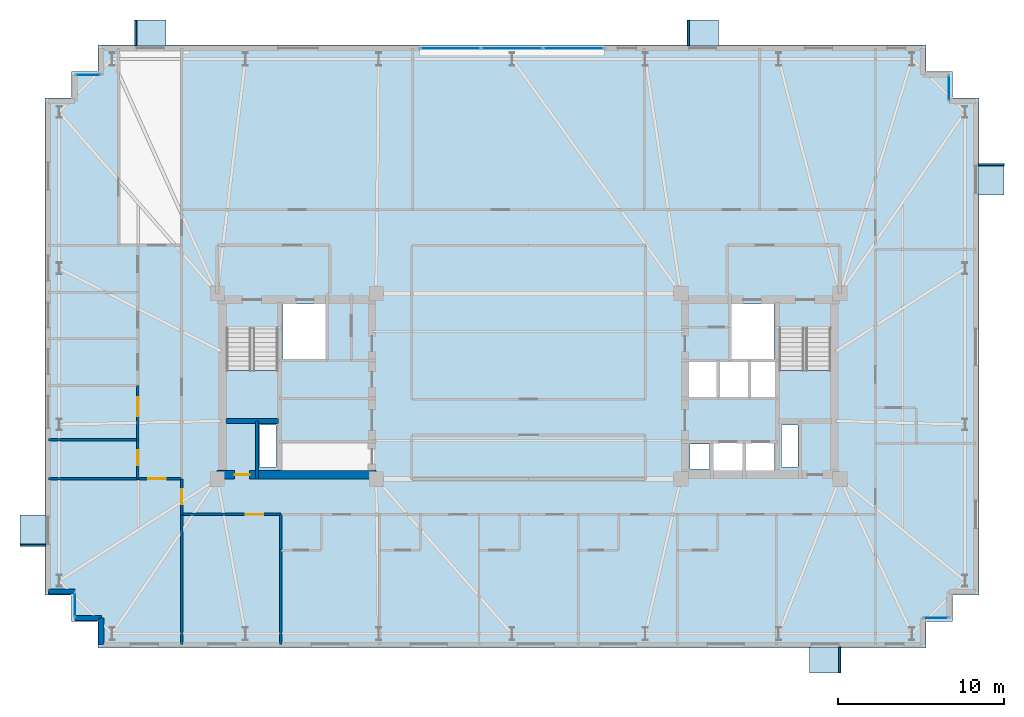
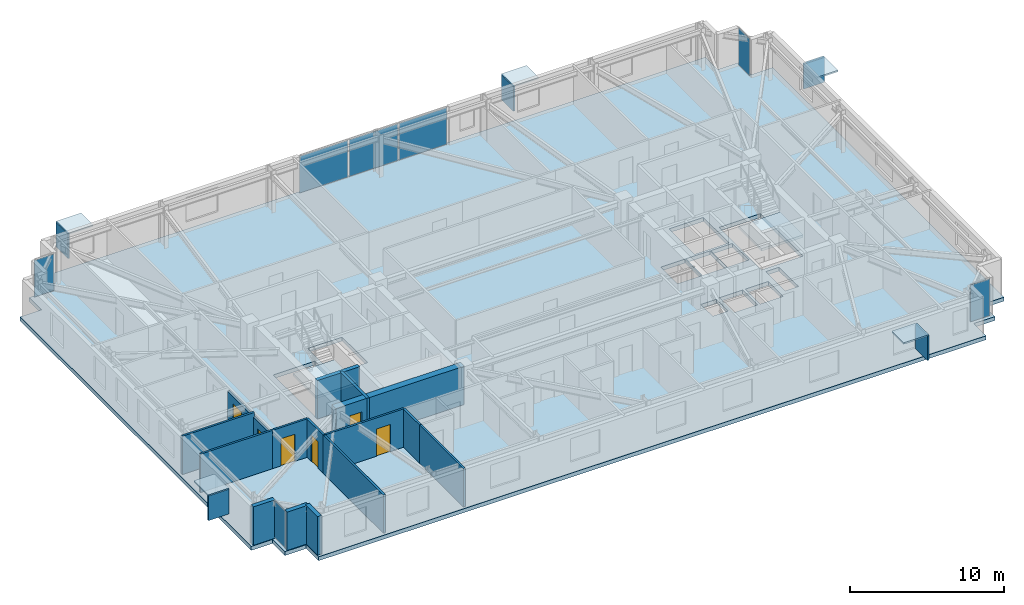
# One storey, part 11 of 18: 17 plates, 16 walls, 6 doors, 3 slabs, 6 openings, 7 elements without a shape of their own.
"""IFC4 building model written with IfcOpenShell, lengths in metres."""

from ifc_helpers import new_model, si_unit, direction, frame, frame_2d, origin, origin_2d, place, context, subcontext, project, spatial, polyline, rectangle, outline, extrude, material, layer, layer_set, type_object, element, fill, aggregate, save


model = new_model("IFC4")

# Units and contexts
model_context = context("Model", 3, precision=1e-05, world=origin(), true_north=direction((0.0, 1.0)))
body_context = subcontext(model_context, "Body", "Model", "MODEL_VIEW")
ifc_project = project(units=[si_unit("LENGTHUNIT", "METRE"), si_unit("AREAUNIT", "SQUARE_METRE"), si_unit("VOLUMEUNIT", "CUBIC_METRE"), si_unit("PLANEANGLEUNIT", "RADIAN"), si_unit("MASSUNIT", "GRAM", prefix="KILO")], contexts=[model_context])

# Site, building, storey
site_placement = place(None, origin())
site = spatial("IfcSite", under=ifc_project, at=site_placement, CompositionType="ELEMENT")
building_placement = place(site_placement, origin())
building = spatial("IfcBuilding", under=site, at=building_placement, Name="Qobustan Lattice House", CompositionType="ELEMENT")
storey_placement = place(building_placement, frame((0.0, 0.0, 151.10009765625)))
storey = spatial("IfcBuildingStorey", under=building, at=storey_placement, Name="L42", CompositionType="ELEMENT", Elevation=151.10009765625)

# Curtain wall, plate
ifc_material_1 = material(Name="Anodised aluminium and low-E glazing", Category="aluminium")
ifc_layer_1 = layer(ifc_material_1, 0.219970703125)
ifc_layer_set_1 = layer_set([ifc_layer_1], Name="Anodised aluminium and low-E glazing")
curtain_wall_type_1 = type_object("IfcCurtainWallType", Name="CW-FAC-02", PredefinedType="USERDEFINED", material=ifc_layer_set_1)
curtain_wall_1_placement = place(storey_placement, origin())
curtain_wall_1 = element("IfcCurtainWall", 1, at=curtain_wall_1_placement, inside=storey, type_object=curtain_wall_type_1, Name="L42 serrated corner faceted glazing 3", ObjectType="CURTAIN WALL", PredefinedType="USERDEFINED")
ifc_material_2 = material(Name="Clear low-E laminated glass", Category="glass")
ifc_layer_2 = layer(ifc_material_2, 0.031982421875)
ifc_layer_set_2 = layer_set([ifc_layer_2], Name="Clear low-E laminated glass")
plate_type_1 = type_object("IfcPlateType", Name="CWP-VISION-32", PredefinedType="CURTAIN_PANEL", material=ifc_layer_set_2)
plate_1_placement = place(storey_placement, frame((-27.39990234375, -13.199951171875, 0.06494140625), z_axis=(0.0, 0.0, 1.0), x_axis=(0.0, 1.0, 0.0)))
plate_1 = element("IfcPlate", 2, at=plate_1_placement, type_object=plate_type_1, Name="CW-F2 panel 1.1", PredefinedType="CURTAIN_PANEL", context=body_context, shape_type="SweptSolid", body=[
    extrude(rectangle(XDim=1.4599609375, YDim=0.031982421875, at=origin_2d()), origin(), (0.0, 0.0, 1.0), 2.909912109375),
])
aggregate(curtain_wall_1, [plate_1])

curtain_wall_2_placement = place(storey_placement, origin())
curtain_wall_2 = element("IfcCurtainWall", 3, at=curtain_wall_2_placement, inside=storey, type_object=curtain_wall_type_1, Name="L42 serrated corner faceted glazing 8", ObjectType="CURTAIN WALL", PredefinedType="USERDEFINED")
plate_2_placement = place(storey_placement, frame((-26.60009765625, 18.800048828125, 0.06494140625), z_axis=(0.0, 0.0, 1.0), x_axis=(1.0, 0.0, 0.0)))
plate_2 = element("IfcPlate", 4, at=plate_2_placement, type_object=plate_type_1, Name="CW-F2 panel 1.1", PredefinedType="CURTAIN_PANEL", context=body_context, shape_type="SweptSolid", body=[
    extrude(rectangle(XDim=1.4599609375, YDim=0.031982421875, at=origin_2d()), origin(), (0.0, 0.0, 1.0), 2.909912109375),
])
aggregate(curtain_wall_2, [plate_2])

# Curtain wall, plates
ifc_material_3 = material(Name="Anodised aluminium and low-E glazing", Category="aluminium")
ifc_layer_3 = layer(ifc_material_3, 0.219970703125)
ifc_layer_set_3 = layer_set([ifc_layer_3], Name="Anodised aluminium and low-E glazing")
curtain_wall_type_2 = type_object("IfcCurtainWallType", Name="CW-IWN-01", PredefinedType="USERDEFINED", material=ifc_layer_set_3)
curtain_wall_3_placement = place(storey_placement, origin())
curtain_wall_3 = element("IfcCurtainWall", 5, at=curtain_wall_3_placement, inside=storey, type_object=curtain_wall_type_2, Name="L42 IWAN-3 walnut-lined iwan curtain wall", ObjectType="CURTAIN WALL", PredefinedType="USERDEFINED")
plate_3_placement = place(storey_placement, frame((-4.71337890625, 20.39990234375, 0.06494140625), z_axis=(0.0, 0.0, 1.0), x_axis=(1.0, 0.0, 0.0)))
plate_3 = element("IfcPlate", 6, at=plate_3_placement, type_object=plate_type_1, Name="CW-IW panel 1.1", PredefinedType="CURTAIN_PANEL", context=body_context, shape_type="SweptSolid", body=[
    extrude(rectangle(XDim=3.61328125, YDim=0.031982421875, at=origin_2d()), origin(), (0.0, 0.0, 1.0), 2.909912109375),
])
plate_4_placement = place(storey_placement, frame((-1.0, 20.39990234375, 0.06494140625), z_axis=(0.0, 0.0, 1.0), x_axis=(1.0, 0.0, 0.0)))
plate_4 = element("IfcPlate", 7, at=plate_4_placement, type_object=plate_type_1, Name="CW-IW panel 2.1", PredefinedType="CURTAIN_PANEL", context=body_context, shape_type="SweptSolid", body=[
    extrude(rectangle(XDim=3.6533203125, YDim=0.031982421875, at=origin_2d()), origin(), (0.0, 0.0, 1.0), 2.909912109375),
])
plate_5_placement = place(storey_placement, frame((2.71337890625, 20.39990234375, 0.06494140625), z_axis=(0.0, 0.0, 1.0), x_axis=(1.0, 0.0, 0.0)))
plate_5 = element("IfcPlate", 8, at=plate_5_placement, type_object=plate_type_1, Name="CW-IW panel 3.1", PredefinedType="CURTAIN_PANEL", context=body_context, shape_type="SweptSolid", body=[
    extrude(rectangle(XDim=3.61328125, YDim=0.031982421875, at=origin_2d()), origin(), (0.0, 0.0, 1.0), 2.909912109375),
])
aggregate(curtain_wall_3, [plate_3, plate_4, plate_5])

# Curtain wall, plate
curtain_wall_4_placement = place(storey_placement, origin())
curtain_wall_4 = element("IfcCurtainWall", 9, at=curtain_wall_4_placement, inside=storey, type_object=curtain_wall_type_1, Name="L42 serrated corner faceted glazing 13", ObjectType="CURTAIN WALL", PredefinedType="USERDEFINED")
plate_6_placement = place(storey_placement, frame((25.39990234375, 18.0, 0.06494140625), z_axis=(0.0, 0.0, 1.0), x_axis=(0.0, -1.0, 0.0)))
plate_6 = element("IfcPlate", 10, at=plate_6_placement, type_object=plate_type_1, Name="CW-F2 panel 1.1", PredefinedType="CURTAIN_PANEL", context=body_context, shape_type="SweptSolid", body=[
    extrude(rectangle(XDim=1.4599609375, YDim=0.031982421875, at=origin_2d()), origin(), (0.0, 0.0, 1.0), 2.909912109375),
])
aggregate(curtain_wall_4, [plate_6])

curtain_wall_5_placement = place(storey_placement, origin())
curtain_wall_5 = element("IfcCurtainWall", 11, at=curtain_wall_5_placement, inside=storey, type_object=curtain_wall_type_1, Name="L42 serrated corner faceted glazing 18", ObjectType="CURTAIN WALL", PredefinedType="USERDEFINED")
plate_7_placement = place(storey_placement, frame((24.60009765625, -14.0, 0.06494140625), z_axis=(0.0, 0.0, 1.0), x_axis=(-1.0, 0.0, 0.0)))
plate_7 = element("IfcPlate", 12, at=plate_7_placement, type_object=plate_type_1, Name="CW-F2 panel 1.1", PredefinedType="CURTAIN_PANEL", context=body_context, shape_type="SweptSolid", body=[
    extrude(rectangle(XDim=1.4599609375, YDim=0.031982421875, at=origin_2d()), origin(), (0.0, 0.0, 1.0), 2.909912109375),
])
aggregate(curtain_wall_5, [plate_7])

# Plates
ifc_material_4 = material(Name="Qobustan limestone GFRC", Category="masonry")
ifc_layer_4 = layer(ifc_material_4, 0.1201171875)
ifc_layer_set_4 = layer_set([ifc_layer_4], Name="Qobustan limestone GFRC")
plate_type_2 = type_object("IfcPlateType", Name="SHD-HOOD-BROW", PredefinedType="USERDEFINED", material=ifc_layer_set_4)
plate_8_placement = place(storey_placement, frame((-29.929931640625, -8.719970703125, 2.699951171875), z_axis=(0.0, 0.0, 1.0), x_axis=(0.0, 1.0, 0.0)))
element("IfcPlate", 13, at=plate_8_placement, inside=storey, type_object=plate_type_2, Name="L42 splayed Qobustan stone hood brow", ObjectType="SUNSHADE", PredefinedType="USERDEFINED", context=body_context, shape_type="SweptSolid", body=[
    extrude(rectangle(XDim=1.889892578125, YDim=1.56005859375, at=origin_2d()), origin(), (0.0, 0.0, 1.0), 0.1201171875),
])
plate_9_placement = place(storey_placement, frame((-29.929931640625, -9.60498046875, 0.7900390625), z_axis=(0.0, 0.0, 1.0), x_axis=(0.0, 1.0, 0.0)))
element("IfcPlate", 14, at=plate_9_placement, inside=storey, type_object=plate_type_2, Name="L42 splayed Qobustan stone hood cheek", ObjectType="SUNSHADE", PredefinedType="USERDEFINED", context=body_context, shape_type="SweptSolid", body=[
    extrude(rectangle(XDim=0.1201171875, YDim=1.56005859375, at=origin_2d()), origin(), (0.0, 0.0, 1.0), 1.969970703125),
])
plate_10_placement = place(storey_placement, frame((-22.840087890625, 21.330078125, 2.699951171875), z_axis=(0.0, 0.0, 1.0), x_axis=(1.0, 0.0, 0.0)))
element("IfcPlate", 15, at=plate_10_placement, inside=storey, type_object=plate_type_2, Name="L42 splayed Qobustan stone hood brow", ObjectType="SUNSHADE", PredefinedType="USERDEFINED", context=body_context, shape_type="SweptSolid", body=[
    extrude(rectangle(XDim=1.889892578125, YDim=1.56005859375, at=origin_2d()), origin(), (0.0, 0.0, 1.0), 0.1201171875),
])
plate_11_placement = place(storey_placement, frame((-23.72509765625, 21.330078125, 0.7900390625), z_axis=(0.0, 0.0, 1.0), x_axis=(1.0, 0.0, 0.0)))
element("IfcPlate", 16, at=plate_11_placement, inside=storey, type_object=plate_type_2, Name="L42 splayed Qobustan stone hood cheek", ObjectType="SUNSHADE", PredefinedType="USERDEFINED", context=body_context, shape_type="SweptSolid", body=[
    extrude(rectangle(XDim=0.1201171875, YDim=1.56005859375, at=origin_2d()), origin(), (0.0, 0.0, 1.0), 1.969970703125),
])
plate_12_placement = place(storey_placement, frame((10.52001953125, 21.330078125, 2.699951171875), z_axis=(0.0, 0.0, 1.0), x_axis=(1.0, 0.0, 0.0)))
element("IfcPlate", 17, at=plate_12_placement, inside=storey, type_object=plate_type_2, Name="L42 splayed Qobustan stone hood brow", ObjectType="SUNSHADE", PredefinedType="USERDEFINED", context=body_context, shape_type="SweptSolid", body=[
    extrude(rectangle(XDim=1.889892578125, YDim=1.56005859375, at=origin_2d()), origin(), (0.0, 0.0, 1.0), 0.1201171875),
])
plate_13_placement = place(storey_placement, frame((9.635009765625, 21.330078125, 0.7900390625), z_axis=(0.0, 0.0, 1.0), x_axis=(1.0, 0.0, 0.0)))
element("IfcPlate", 18, at=plate_13_placement, inside=storey, type_object=plate_type_2, Name="L42 splayed Qobustan stone hood cheek", ObjectType="SUNSHADE", PredefinedType="USERDEFINED", context=body_context, shape_type="SweptSolid", body=[
    extrude(rectangle(XDim=0.1201171875, YDim=1.56005859375, at=origin_2d()), origin(), (0.0, 0.0, 1.0), 1.969970703125),
])
plate_14_placement = place(storey_placement, frame((27.929931640625, 12.47998046875, 2.699951171875), z_axis=(0.0, 0.0, 1.0), x_axis=(0.0, -1.0, 0.0)))
element("IfcPlate", 19, at=plate_14_placement, inside=storey, type_object=plate_type_2, Name="L42 splayed Qobustan stone hood brow", ObjectType="SUNSHADE", PredefinedType="USERDEFINED", context=body_context, shape_type="SweptSolid", body=[
    extrude(rectangle(XDim=1.889892578125, YDim=1.56005859375, at=origin_2d()), origin(), (0.0, 0.0, 1.0), 0.1201171875),
])
plate_15_placement = place(storey_placement, frame((27.929931640625, 13.364990234375, 0.7900390625), z_axis=(0.0, 0.0, 1.0), x_axis=(0.0, -1.0, 0.0)))
element("IfcPlate", 20, at=plate_15_placement, inside=storey, type_object=plate_type_2, Name="L42 splayed Qobustan stone hood cheek", ObjectType="SUNSHADE", PredefinedType="USERDEFINED", context=body_context, shape_type="SweptSolid", body=[
    extrude(rectangle(XDim=0.1201171875, YDim=1.56005859375, at=origin_2d()), origin(), (0.0, 0.0, 1.0), 1.969970703125),
])
plate_16_placement = place(storey_placement, frame((17.919921875, -16.530029296875, 2.699951171875), z_axis=(0.0, 0.0, 1.0), x_axis=(-1.0, 0.0, 0.0)))
element("IfcPlate", 21, at=plate_16_placement, inside=storey, type_object=plate_type_2, Name="L42 splayed Qobustan stone hood brow", ObjectType="SUNSHADE", PredefinedType="USERDEFINED", context=body_context, shape_type="SweptSolid", body=[
    extrude(rectangle(XDim=1.889892578125, YDim=1.56005859375, at=origin_2d()), origin(), (0.0, 0.0, 1.0), 0.1201171875),
])
plate_17_placement = place(storey_placement, frame((18.804931640625, -16.530029296875, 0.7900390625), z_axis=(0.0, 0.0, 1.0), x_axis=(-1.0, 0.0, 0.0)))
element("IfcPlate", 22, at=plate_17_placement, inside=storey, type_object=plate_type_2, Name="L42 splayed Qobustan stone hood cheek", ObjectType="SUNSHADE", PredefinedType="USERDEFINED", context=body_context, shape_type="SweptSolid", body=[
    extrude(rectangle(XDim=0.1201171875, YDim=1.56005859375, at=origin_2d()), origin(), (0.0, 0.0, 1.0), 1.969970703125),
])

# Slab
ifc_material_5 = material(Name="Concrete C40/50", Category="concrete")
ifc_layer_5 = layer(ifc_material_5, 0.31005859375)
ifc_layer_set_5 = layer_set([ifc_layer_5], Name="Concrete C40/50")
slab_type_1 = type_object("IfcSlabType", Name="SLB-FLR-310", PredefinedType="FLOOR", material=ifc_layer_set_5)
slab_1_placement = place(storey_placement, frame((0.0, 0.0, -0.31005859375)))
element("IfcSlab", 23, at=slab_1_placement, inside=storey, type_object=slab_type_1, Name="L42 structural floor slab", PredefinedType="FLOOR", context=body_context, shape_type="SweptSolid", body=[
    extrude(outline(polyline([(-26.0, -15.800048828125), (24.0, -15.800048828125), (24.0, -14.199951171875), (25.60009765625, -14.199951171875), (25.60009765625, -12.60009765625), (27.199951171875, -12.60009765625), (27.199951171875, 17.39990234375), (25.60009765625, 17.39990234375), (25.60009765625, 19.0), (24.0, 19.0), (24.0, 20.60009765625), (-26.0, 20.60009765625), (-26.0, 19.0), (-27.60009765625, 19.0), (-27.60009765625, 17.39990234375), (-29.199951171875, 17.39990234375), (-29.199951171875, -12.60009765625), (-27.60009765625, -12.60009765625), (-27.60009765625, -14.199951171875), (-26.0, -14.199951171875), (-26.0, -15.800048828125)]), holes=[polyline([(-18.25, -2.050048828125), (-18.25, 3.489990234375), (-15.1298828125, 3.489990234375), (-15.1298828125, -2.050048828125), (-18.25, -2.050048828125)]), polyline([(15.1298828125, -2.050048828125), (15.1298828125, 3.489990234375), (18.25, 3.489990234375), (18.25, -2.050048828125), (15.1298828125, -2.050048828125)]), polyline([(-14.820068359375, 1.64990234375), (-14.820068359375, 4.9599609375), (-12.25, 4.9599609375), (-12.25, 1.64990234375), (-14.820068359375, 1.64990234375)]), polyline([(12.25, 1.64990234375), (12.25, 4.9599609375), (14.820068359375, 4.9599609375), (14.820068359375, 1.64990234375), (12.25, 1.64990234375)]), polyline([(-16.260009765625, -4.8798828125), (-16.260009765625, -2.360107421875), (-15.260009765625, -2.360107421875), (-15.260009765625, -4.8798828125), (-16.260009765625, -4.8798828125)]), polyline([(15.260009765625, -4.8798828125), (15.260009765625, -2.360107421875), (16.260009765625, -2.360107421875), (16.260009765625, -4.8798828125), (15.260009765625, -4.8798828125)]), polyline([(11.179931640625, -5.35009765625), (11.179931640625, -3.419921875), (12.919921875, -3.419921875), (12.919921875, -5.35009765625), (11.179931640625, -5.35009765625)]), polyline([(13.1201171875, -5.35009765625), (13.1201171875, -3.419921875), (14.85009765625, -3.419921875), (14.85009765625, -5.35009765625), (13.1201171875, -5.35009765625)]), polyline([(9.760009765625, -5.0), (9.760009765625, -3.47998046875), (10.93994140625, -3.47998046875), (10.93994140625, -5.0), (9.760009765625, -5.0)]), polyline([(13.360107421875, -0.679931640625), (13.360107421875, 1.47998046875), (14.97998046875, 1.47998046875), (14.97998046875, -0.679931640625), (13.360107421875, -0.679931640625)]), polyline([(9.6201171875, -0.679931640625), (9.6201171875, 1.47998046875), (11.43994140625, 1.47998046875), (11.43994140625, -0.679931640625), (9.6201171875, -0.679931640625)]), polyline([(11.5, -0.679931640625), (11.5, 1.47998046875), (13.320068359375, 1.47998046875), (13.320068359375, -0.679931640625), (11.5, -0.679931640625)])]), origin(), (0.0, 0.0, 1.0), 0.31005859375),
])

# Stair, slab
ifc_material_6 = material(Name="Concrete C40/50", Category="concrete")
stair_type = type_object("IfcStairType", Name="STR-CORE-DOGLEG", PredefinedType="HALF_TURN_STAIR", material=ifc_material_6)
stair_1_placement = place(storey_placement, origin())
stair_1 = element("IfcStair", 24, at=stair_1_placement, inside=storey, type_object=stair_type, Name="L42 West protected exit stair ST-W1", PredefinedType="HALF_TURN_STAIR")
ifc_material_7 = material(Name="Concrete C40/50", Category="concrete")
ifc_layer_6 = layer(ifc_material_7, 0.199951171875)
ifc_layer_set_6 = layer_set([ifc_layer_6], Name="Concrete C40/50")
slab_type_2 = type_object("IfcSlabType", Name="SLB-LANDING-200", PredefinedType="LANDING", material=ifc_layer_set_6)
slab_2_placement = place(storey_placement, frame((0.0, 0.0, 1.474853515625)))
slab_2 = element("IfcSlab", 25, at=slab_2_placement, type_object=slab_type_2, Name="ST-W1 landing 1", PredefinedType="LANDING", context=body_context, shape_type="SweptSolid", body=[
    extrude(outline(polyline([(-18.25, 0.93505859375), (-18.25, -2.050048828125), (-15.1298828125, -2.050048828125), (-15.1298828125, 0.93505859375), (-18.25, 0.93505859375)])), origin(), (0.0, 0.0, 1.0), 0.199951171875),
])
aggregate(stair_1, [slab_2])

stair_2_placement = place(storey_placement, origin())
stair_2 = element("IfcStair", 26, at=stair_2_placement, inside=storey, type_object=stair_type, Name="L42 East protected exit stair ST-E1", PredefinedType="HALF_TURN_STAIR")
slab_3_placement = place(storey_placement, frame((0.0, 0.0, 1.474853515625)))
slab_3 = element("IfcSlab", 27, at=slab_3_placement, type_object=slab_type_2, Name="ST-E1 landing 1", PredefinedType="LANDING", context=body_context, shape_type="SweptSolid", body=[
    extrude(outline(polyline([(15.1298828125, 0.93505859375), (15.1298828125, -2.050048828125), (18.25, -2.050048828125), (18.25, 0.93505859375), (15.1298828125, 0.93505859375)])), origin(), (0.0, 0.0, 1.0), 0.199951171875),
])
aggregate(stair_2, [slab_3])

# Wall, opening, door
ifc_material_8 = material(Name="Concrete C50/60", Category="concrete")
ifc_layer_7 = layer(ifc_material_8, 0.5)
ifc_layer_set_7 = layer_set([ifc_layer_7], Name="Concrete C50/60")
wall_type_1 = type_object("IfcWallType", Name="WAL-CORE-500", PredefinedType="SHEAR", material=ifc_layer_set_7)
wall_1_placement = place(storey_placement, frame((-18.800048828125, -5.35009765625, 0.0), z_axis=(0.0, 0.0, 1.0), x_axis=(1.0, 0.0, 0.0)))
wall_1 = element("IfcWall", 28, at=wall_1_placement, inside=storey, type_object=wall_type_1, Name="L42 split-core shear wall CW-S", PredefinedType="SHEAR", context=body_context, shape_type="SweptSolid", body=[
    extrude(rectangle(XDim=9.60009765625, YDim=0.5, at=frame_2d((4.800048828125, 0.0))), origin(), (0.0, 0.0, 1.0), 3.039794921875),
])
opening_1_placement = place(wall_1_placement, frame((1.050048828125, 0.0, 0.0)))
opening_1 = element("IfcOpeningElement", 29, at=opening_1_placement, cuts=wall_1, Name="Opening RD-01", PredefinedType="OPENING", context=body_context, shape_type="SweptSolid", body=[
    extrude(rectangle(XDim=0.89990234375, YDim=2.10009765625, at=frame_2d((0.449951171875, 1.050048828125))), frame((0.0, 0.260009765625, 0.0), z_axis=(0.0, -1.0, 0.0), x_axis=(1.0, 0.0, 0.0)), (0.0, 0.0, 1.0), 0.52001953125),
])
ifc_material_9 = material(Name="Persian walnut timber and steel frame door", Category="steel")
door_type_1 = type_object("IfcDoorType", Name="DOR-RISER-FD-900x2100", OperationType="NOTDEFINED", PredefinedType="DOOR", material=ifc_material_9)
door_1_placement = place(opening_1_placement, origin())
door_1 = element("IfcDoor", 30, at=door_1_placement, inside=storey, type_object=door_type_1, Name="L42 core service riser access door W", OperationType="SINGLE_SWING_LEFT", OverallHeight=2.10009765625, OverallWidth=0.89990234375, PredefinedType="DOOR", context=body_context, shape_type="SweptSolid", body=[
    extrude(rectangle(XDim=0.89990234375, YDim=2.10009765625, at=frame_2d((0.449951171875, 1.050048828125))), frame((0.0, 0.02490234375, 0.0), z_axis=(0.0, -1.0, 0.0), x_axis=(1.0, 0.0, 0.0)), (0.0, 0.0, 1.0), 0.050048828125),
])
fill(opening_1, door_1)

# Walls
ifc_material_10 = material(Name="Concrete C50/60", Category="concrete")
ifc_layer_8 = layer(ifc_material_10, 0.280029296875)
ifc_layer_set_8 = layer_set([ifc_layer_8], Name="Concrete C50/60")
wall_type_2 = type_object("IfcWallType", Name="WAL-CORE-SPINE-280", PredefinedType="SHEAR", material=ifc_layer_set_8)
wall_2_placement = place(storey_placement, frame((-18.280029296875, -2.110107421875, 0.0), z_axis=(0.0, 0.0, 1.0), x_axis=(1.0, 0.0, 0.0)))
element("IfcWall", 31, at=wall_2_placement, inside=storey, type_object=wall_type_2, Name="L42 split-core shear wall CW-ST", PredefinedType="SHEAR", context=body_context, shape_type="SweptSolid", body=[
    extrude(rectangle(XDim=3.179931640625, YDim=0.300048828125, at=frame_2d((1.58984375, 0.0))), origin(), (0.0, 0.0, 1.0), 3.039794921875),
])
ifc_material_11 = material(Name="Precast concrete C40/50", Category="concrete")
ifc_layer_9 = layer(ifc_material_11, 0.320068359375)
ifc_layer_set_9 = layer_set([ifc_layer_9], Name="Precast concrete C40/50")
wall_type_3 = type_object("IfcWallType", Name="WAL-EXT-STONE-320", PredefinedType="SOLIDWALL", material=ifc_layer_set_9)
wall_3_placement = place(storey_placement, frame((-25.800048828125, -15.60009765625, 0.0), z_axis=(0.0, 0.0, 1.0), x_axis=(0.0, 1.0, 0.0)))
element("IfcWall", 32, at=wall_3_placement, inside=storey, type_object=wall_type_3, Name="L42 exterior limestone-clad wall 1", PredefinedType="SOLIDWALL", context=body_context, shape_type="SweptSolid", body=[
    extrude(rectangle(XDim=1.60009765625, YDim=0.320068359375, at=frame_2d((0.800048828125, 0.0))), origin(), (0.0, 0.0, 1.0), 3.039794921875),
])
wall_4_placement = place(storey_placement, frame((-25.800048828125, -14.0, 0.0), z_axis=(0.0, 0.0, 1.0), x_axis=(-1.0, 0.0, 0.0)))
element("IfcWall", 33, at=wall_4_placement, inside=storey, type_object=wall_type_3, Name="L42 exterior limestone-clad wall 2", PredefinedType="SOLIDWALL", context=body_context, shape_type="SweptSolid", body=[
    extrude(rectangle(XDim=1.599853515625, YDim=0.320068359375, at=frame_2d((0.7998046875, 0.0))), origin(), (0.0, 0.0, 1.0), 3.039794921875),
])
wall_5_placement = place(storey_placement, frame((-27.39990234375, -12.39990234375, 0.0), z_axis=(0.0, 0.0, 1.0), x_axis=(-1.0, 0.0, 0.0)))
element("IfcWall", 34, at=wall_5_placement, inside=storey, type_object=wall_type_3, Name="L42 exterior limestone-clad wall 4", PredefinedType="SOLIDWALL", context=body_context, shape_type="SweptSolid", body=[
    extrude(rectangle(XDim=1.60009765625, YDim=0.320068359375, at=frame_2d((0.800048828125, 0.0))), origin(), (0.0, 0.0, 1.0), 3.039794921875),
])

# Wall, opening, door
ifc_material_12 = material(Name="Acoustic twin-stud gypsum partition", Category="gypsum")
ifc_layer_10 = layer(ifc_material_12, 0.14990234375)
ifc_layer_set_10 = layer_set([ifc_layer_10], Name="Acoustic twin-stud gypsum partition")
wall_type_4 = type_object("IfcWallType", Name="WAL-PART-150", PredefinedType="PARTITIONING", material=ifc_layer_set_10)
wall_6_placement = place(storey_placement, frame((-20.949951171875, -7.75, 0.0), z_axis=(0.0, 0.0, 1.0), x_axis=(0.0, 1.0, 0.0)))
wall_6 = element("IfcWall", 35, at=wall_6_placement, inside=storey, type_object=wall_type_4, Name="L42 interior partition 43", PredefinedType="PARTITIONING", context=body_context, shape_type="SweptSolid", body=[
    extrude(rectangle(XDim=2.14990234375, YDim=0.14990234375, at=frame_2d((1.074951171875, 0.0))), origin(), (0.0, 0.0, 1.0), 3.039794921875),
])
opening_2_placement = place(wall_6_placement, frame((0.625, 0.0, 0.0)))
opening_2 = element("IfcOpeningElement", 36, at=opening_2_placement, cuts=wall_6, Name="Opening WD-01", PredefinedType="OPENING", context=body_context, shape_type="SweptSolid", body=[
    extrude(rectangle(XDim=0.89990234375, YDim=2.10009765625, at=frame_2d((0.449951171875, 1.050048828125))), frame((0.0, 0.0849609375, 0.0), z_axis=(0.0, -1.0, 0.0), x_axis=(1.0, 0.0, 0.0)), (0.0, 0.0, 1.0), 0.169921875),
])
ifc_material_13 = material(Name="Persian walnut timber and steel frame door", Category="steel")
door_type_2 = type_object("IfcDoorType", Name="DOR-WET-900x2100", OperationType="NOTDEFINED", PredefinedType="DOOR", material=ifc_material_13)
door_2_placement = place(opening_2_placement, origin())
door_2 = element("IfcDoor", 37, at=door_2_placement, inside=storey, type_object=door_type_2, Name="L42 South-west floor corridor to Reading study room L42WS door", OperationType="SINGLE_SWING_LEFT", OverallHeight=2.10009765625, OverallWidth=0.89990234375, PredefinedType="DOOR", context=body_context, shape_type="SweptSolid", body=[
    extrude(rectangle(XDim=0.89990234375, YDim=2.10009765625, at=frame_2d((0.449951171875, 1.050048828125))), frame((0.0, 0.02490234375, 0.0), z_axis=(0.0, -1.0, 0.0), x_axis=(1.0, 0.0, 0.0)), (0.0, 0.0, 1.0), 0.050048828125),
])
fill(opening_2, door_2)

wall_7_placement = place(storey_placement, frame((-14.964111328125, -7.75, 0.0), z_axis=(0.0, 0.0, 1.0), x_axis=(-1.0, 0.0, 0.0)))
wall_7 = element("IfcWall", 38, at=wall_7_placement, inside=storey, type_object=wall_type_4, Name="L42 interior partition 44", PredefinedType="PARTITIONING", context=body_context, shape_type="SweptSolid", body=[
    extrude(rectangle(XDim=5.98583984375, YDim=0.14990234375, at=frame_2d((2.992919921875, 0.0))), origin(), (0.0, 0.0, 1.0), 3.039794921875),
])
opening_3_placement = place(wall_7_placement, frame((1.052001953125, 0.0, 0.0)))
opening_3 = element("IfcOpeningElement", 39, at=opening_3_placement, cuts=wall_7, Name="Opening ID-02", PredefinedType="OPENING", context=body_context, shape_type="SweptSolid", body=[
    extrude(rectangle(XDim=1.050048828125, YDim=2.14990234375, at=frame_2d((0.52490234375, 1.074951171875))), frame((0.0, 0.0849609375, 0.0), z_axis=(0.0, -1.0, 0.0), x_axis=(1.0, 0.0, 0.0)), (0.0, 0.0, 1.0), 0.169921875),
])
ifc_material_14 = material(Name="Persian walnut timber and steel frame door", Category="steel")
door_type_3 = type_object("IfcDoorType", Name="DOR-STUDY-1050x2150", OperationType="NOTDEFINED", PredefinedType="DOOR", material=ifc_material_14)
door_3_placement = place(opening_3_placement, origin())
door_3 = element("IfcDoor", 40, at=door_3_placement, inside=storey, type_object=door_type_3, Name="L42 South-west floor corridor to Focus study room S1 door", OperationType="SINGLE_SWING_RIGHT", OverallHeight=2.14990234375, OverallWidth=1.050048828125, PredefinedType="DOOR", context=body_context, shape_type="SweptSolid", body=[
    extrude(rectangle(XDim=1.050048828125, YDim=2.14990234375, at=frame_2d((0.52490234375, 1.074951171875))), frame((0.0, 0.02490234375, 0.0), z_axis=(0.0, -1.0, 0.0), x_axis=(1.0, 0.0, 0.0)), (0.0, 0.0, 1.0), 0.050048828125),
])
fill(opening_3, door_3)

wall_8_placement = place(storey_placement, frame((-20.949951171875, -5.60009765625, 0.0), z_axis=(0.0, 0.0, 1.0), x_axis=(-1.0, 0.0, 0.0)))
wall_8 = element("IfcWall", 41, at=wall_8_placement, inside=storey, type_object=wall_type_4, Name="L42 interior partition 71", PredefinedType="PARTITIONING", context=body_context, shape_type="SweptSolid", body=[
    extrude(rectangle(XDim=2.650146484375, YDim=0.14990234375, at=frame_2d((1.3251953125, 0.0))), origin(), (0.0, 0.0, 1.0), 3.039794921875),
])
opening_4_placement = place(wall_8_placement, frame((0.965087890625, 0.0, 0.0)))
opening_4 = element("IfcOpeningElement", 42, at=opening_4_placement, cuts=wall_8, Name="Opening ID-02", PredefinedType="OPENING", context=body_context, shape_type="SweptSolid", body=[
    extrude(rectangle(XDim=1.050048828125, YDim=2.14990234375, at=frame_2d((0.52490234375, 1.074951171875))), frame((0.0, 0.0849609375, 0.0), z_axis=(0.0, -1.0, 0.0), x_axis=(1.0, 0.0, 0.0)), (0.0, 0.0, 1.0), 0.169921875),
])
door_4_placement = place(opening_4_placement, origin())
door_4 = element("IfcDoor", 43, at=door_4_placement, inside=storey, type_object=door_type_3, Name="L42 Residence entrance hall L42W to Reading study room L42WS door", OperationType="SINGLE_SWING_LEFT", OverallHeight=2.14990234375, OverallWidth=1.050048828125, PredefinedType="DOOR", context=body_context, shape_type="SweptSolid", body=[
    extrude(rectangle(XDim=1.050048828125, YDim=2.14990234375, at=frame_2d((0.52490234375, 1.074951171875))), frame((0.0, 0.02490234375, 0.0), z_axis=(0.0, -1.0, 0.0), x_axis=(1.0, 0.0, 0.0)), (0.0, 0.0, 1.0), 0.050048828125),
])
fill(opening_4, door_4)

# Walls
wall_9_placement = place(storey_placement, frame((-20.949951171875, -7.75, 0.0), z_axis=(0.0, 0.0, 1.0), x_axis=(0.0, -1.0, 0.0)))
element("IfcWall", 44, at=wall_9_placement, inside=storey, type_object=wall_type_4, Name="L42 interior partition 82", PredefinedType="PARTITIONING", context=body_context, shape_type="SweptSolid", body=[
    extrude(rectangle(XDim=7.85009765625, YDim=0.14990234375, at=frame_2d((3.925048828125, 0.0))), origin(), (0.0, 0.0, 1.0), 3.039794921875),
])
wall_10_placement = place(storey_placement, frame((-14.964111328125, -9.89990234375, 0.0), z_axis=(0.0, 0.0, 1.0), x_axis=(0.0, -1.0, 0.0)))
element("IfcWall", 45, at=wall_10_placement, inside=storey, type_object=wall_type_4, Name="L42 interior partition 97", PredefinedType="PARTITIONING", context=body_context, shape_type="SweptSolid", body=[
    extrude(rectangle(XDim=5.7001953125, YDim=0.14990234375, at=frame_2d((2.85009765625, 0.0))), origin(), (0.0, 0.0, 1.0), 3.039794921875),
])

# Wall, opening, door
ifc_material_15 = material(Name="High-mass acoustic twin-stud partition", Category="gypsum")
ifc_layer_11 = layer(ifc_material_15, 0.1650390625)
ifc_layer_set_11 = layer_set([ifc_layer_11], Name="High-mass acoustic twin-stud partition")
wall_type_5 = type_object("IfcWallType", Name="WAL-PART-165", PredefinedType="PARTITIONING", material=ifc_layer_set_11)
wall_11_placement = place(storey_placement, frame((-23.60009765625, -3.25, 0.0), z_axis=(0.0, 0.0, 1.0), x_axis=(0.0, 1.0, 0.0)))
wall_11 = element("IfcWall", 46, at=wall_11_placement, inside=storey, type_object=wall_type_5, Name="L42 interior partition 73", PredefinedType="PARTITIONING", context=body_context, shape_type="SweptSolid", body=[
    extrude(rectangle(XDim=3.2900390625, YDim=0.1650390625, at=frame_2d((1.64501953125, 0.0))), origin(), (0.0, 0.0, 1.0), 2.69482421875),
])
opening_5_placement = place(wall_11_placement, frame((1.4375, 0.0, 0.0)))
opening_5 = element("IfcOpeningElement", 47, at=opening_5_placement, cuts=wall_11, Name="Opening ID-03", PredefinedType="OPENING", context=body_context, shape_type="SweptSolid", body=[
    extrude(rectangle(XDim=1.14990234375, YDim=2.14990234375, at=frame_2d((0.574951171875, 1.074951171875))), frame((0.0, 0.092529296875, 0.0), z_axis=(0.0, -1.0, 0.0), x_axis=(1.0, 0.0, 0.0)), (0.0, 0.0, 1.0), 0.18505859375),
])
ifc_material_16 = material(Name="Persian walnut timber and steel frame door", Category="steel")
door_type_4 = type_object("IfcDoorType", Name="DOR-KITCH-1150x2150", OperationType="NOTDEFINED", PredefinedType="DOOR", material=ifc_material_16)
door_5_placement = place(opening_5_placement, origin())
door_5 = element("IfcDoor", 48, at=door_5_placement, inside=storey, type_object=door_type_4, Name="L42 Residence entrance hall L42W to Shared kitchen L42W door", OperationType="SINGLE_SWING_LEFT", OverallHeight=2.14990234375, OverallWidth=1.14990234375, PredefinedType="DOOR", context=body_context, shape_type="SweptSolid", body=[
    extrude(rectangle(XDim=1.14990234375, YDim=2.14990234375, at=frame_2d((0.574951171875, 1.074951171875))), frame((0.0, 0.02490234375, 0.0), z_axis=(0.0, -1.0, 0.0), x_axis=(1.0, 0.0, 0.0)), (0.0, 0.0, 1.0), 0.050048828125),
])
fill(opening_5, door_5)

# Wall
ifc_material_17 = material(Name="Concrete C40/50", Category="concrete")
ifc_layer_12 = layer(ifc_material_17, 0.199951171875)
ifc_layer_set_12 = layer_set([ifc_layer_12], Name="Concrete C40/50")
wall_type_6 = type_object("IfcWallType", Name="WAL-SHAFT-200", PredefinedType="PARTITIONING", material=ifc_layer_set_12)
wall_12_placement = place(storey_placement, frame((-16.39990234375, -5.60009765625, 0.0), z_axis=(0.0, 0.0, 1.0), x_axis=(0.0, 1.0, 0.0)))
element("IfcWall", 49, at=wall_12_placement, inside=storey, type_object=wall_type_6, Name="L42 interior partition 1", PredefinedType="PARTITIONING", context=body_context, shape_type="SweptSolid", body=[
    extrude(rectangle(XDim=3.489990234375, YDim=0.199951171875, at=frame_2d((1.7451171875, 0.0))), origin(), (0.0, 0.0, 1.0), 3.039794921875),
])

# Wall, opening, door
ifc_material_18 = material(Name="Moisture-resistant acoustic plumbing wall", Category="gypsum")
ifc_layer_13 = layer(ifc_material_18, 0.14990234375)
ifc_layer_set_13 = layer_set([ifc_layer_13], Name="Moisture-resistant acoustic plumbing wall")
wall_type_7 = type_object("IfcWallType", Name="WAL-WET-150", PredefinedType="PLUMBINGWALL", material=ifc_layer_set_13)
wall_13_placement = place(storey_placement, frame((-23.60009765625, -5.60009765625, 0.0), z_axis=(0.0, 0.0, 1.0), x_axis=(0.0, 1.0, 0.0)))
wall_13 = element("IfcWall", 50, at=wall_13_placement, inside=storey, type_object=wall_type_7, Name="L42 interior partition 72", PredefinedType="PLUMBINGWALL", context=body_context, shape_type="SweptSolid", body=[
    extrude(rectangle(XDim=2.35009765625, YDim=0.14990234375, at=frame_2d((1.175048828125, 0.0))), origin(), (0.0, 0.0, 1.0), 2.69482421875),
])
opening_6_placement = place(wall_13_placement, frame((0.833740234375, 0.0, 0.0)))
opening_6 = element("IfcOpeningElement", 51, at=opening_6_placement, cuts=wall_13, Name="Opening WD-01", PredefinedType="OPENING", context=body_context, shape_type="SweptSolid", body=[
    extrude(rectangle(XDim=0.89990234375, YDim=2.10009765625, at=frame_2d((0.449951171875, 1.050048828125))), frame((0.0, 0.0849609375, 0.0), z_axis=(0.0, -1.0, 0.0), x_axis=(1.0, 0.0, 0.0)), (0.0, 0.0, 1.0), 0.169921875),
])
door_6_placement = place(opening_6_placement, origin())
door_6 = element("IfcDoor", 52, at=door_6_placement, inside=storey, type_object=door_type_2, Name="L42 Residence entrance hall L42W to Shared bathroom L42W door", OperationType="SINGLE_SWING_RIGHT", OverallHeight=2.10009765625, OverallWidth=0.89990234375, PredefinedType="DOOR", context=body_context, shape_type="SweptSolid", body=[
    extrude(rectangle(XDim=0.89990234375, YDim=2.10009765625, at=frame_2d((0.449951171875, 1.050048828125))), frame((0.0, 0.02490234375, 0.0), z_axis=(0.0, -1.0, 0.0), x_axis=(1.0, 0.0, 0.0)), (0.0, 0.0, 1.0), 0.050048828125),
])
fill(opening_6, door_6)

# Walls
for number, where, z_axis, x_axis, name in (
    (53, (-29.0, -5.60009765625, 0.0), (0.0, 0.0, 1.0), (1.0, 0.0, 0.0), "L42 interior partition 81"),
    (54, (-29.0, -3.25, 0.0), (0.0, 0.0, 1.0), (1.0, 0.0, 0.0), "L42 interior partition 83"),
):
    element("IfcWall", number, at=place(storey_placement, frame(where, z_axis=z_axis, x_axis=x_axis)), inside=storey, type_object=wall_type_7, Name=name, PredefinedType="PLUMBINGWALL", context=body_context, shape_type="SweptSolid", body=[
        extrude(rectangle(XDim=5.39990234375, YDim=0.14990234375, at=frame_2d((2.699951171875, 0.0))), origin(), (0.0, 0.0, 1.0), 3.039794921875),
    ])
wall_14_placement = place(storey_placement, frame((-14.964111328125, -7.75, 0.0), z_axis=(0.0, 0.0, 1.0), x_axis=(0.0, -1.0, 0.0)))
element("IfcWall", 55, at=wall_14_placement, inside=storey, type_object=wall_type_7, Name="L42 interior partition 98", PredefinedType="PLUMBINGWALL", context=body_context, shape_type="SweptSolid", body=[
    extrude(rectangle(XDim=2.14990234375, YDim=0.14990234375, at=frame_2d((1.074951171875, 0.0))), origin(), (0.0, 0.0, 1.0), 3.039794921875),
])

save(model, "model.ifc")
